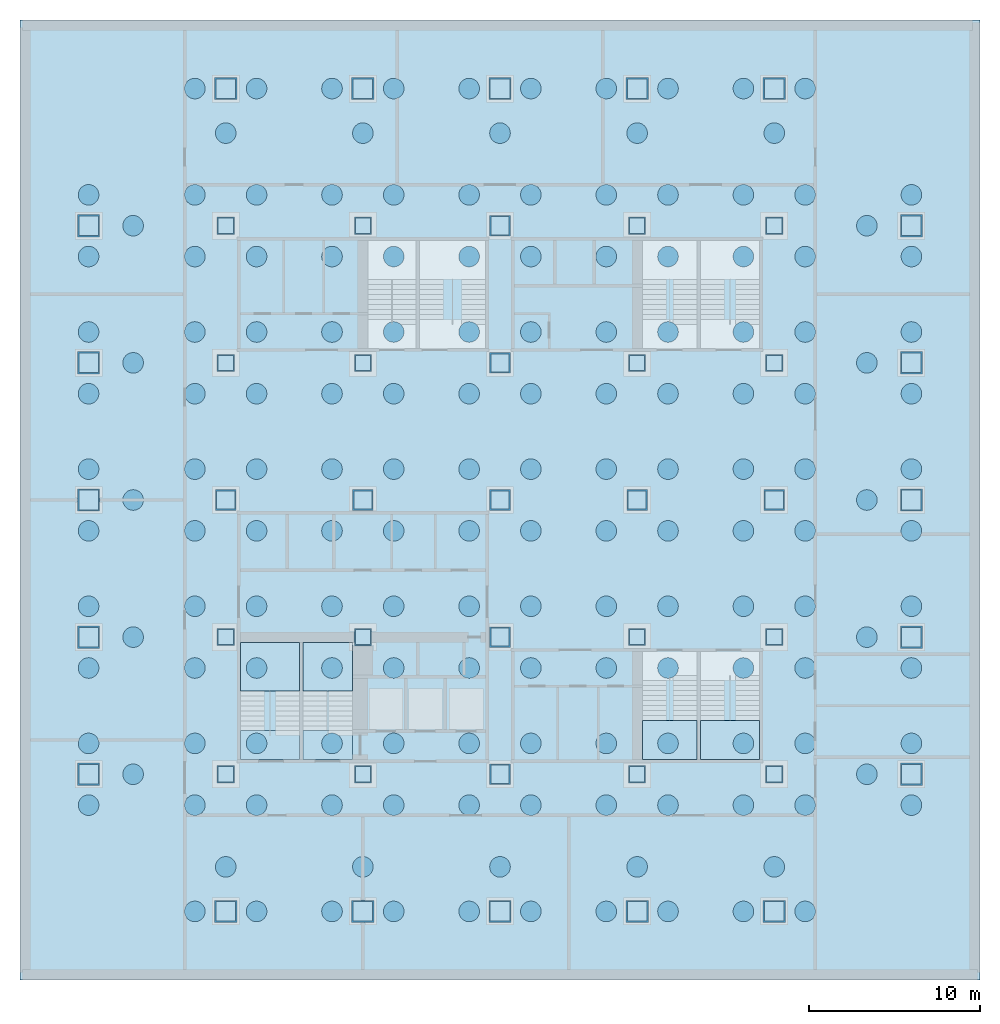
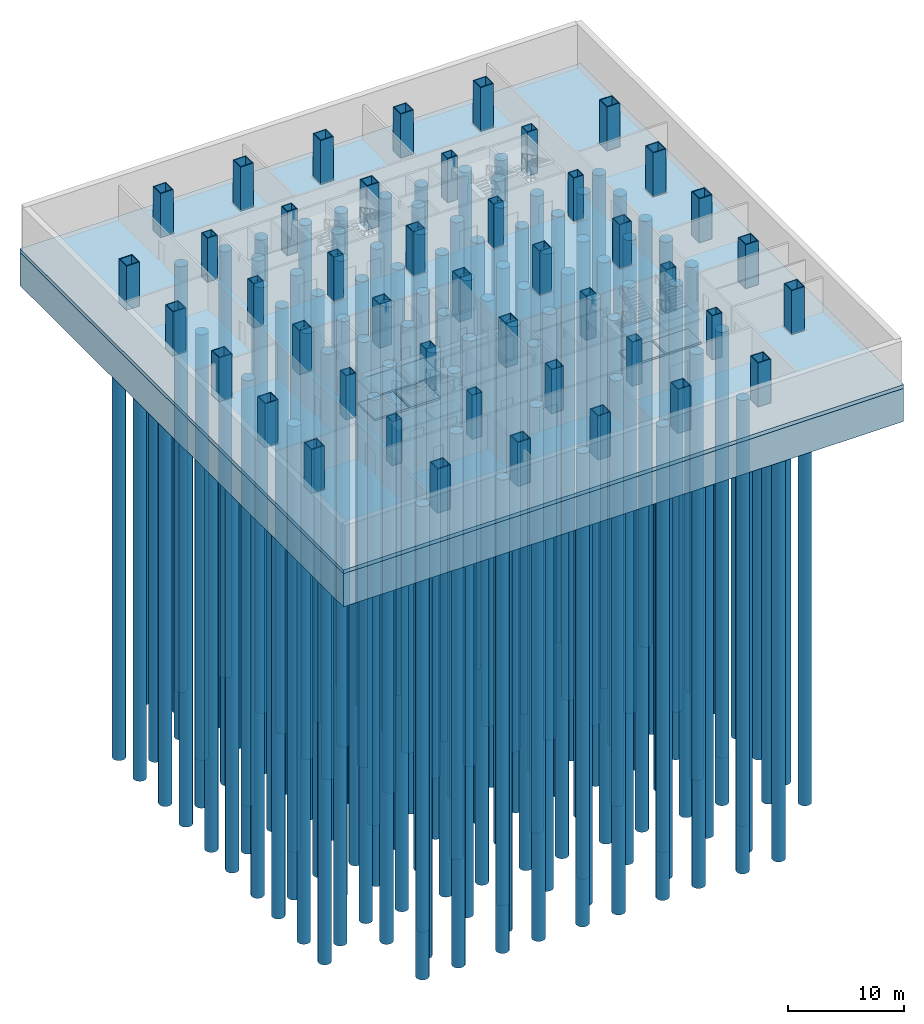
# One storey, part 1 of 9: 160 piles, 45 columns, 11 slabs, 1 footing, 4 elements without a shape of their own.
"""IFC4 building model written with IfcOpenShell, lengths in metres."""

from ifc_helpers import new_model, si_unit, direction, frame, origin, origin_2d, place, context, subcontext, project, spatial, polyline, hollow_rectangle, circle, outline, extrude, material, layer, layer_set, material_profile, profile_set, type_object, element, aggregate, save


model = new_model("IFC4")

# Units and contexts
model_context = context("Model", 3, precision=1e-05, world=origin(), true_north=direction((0.0, 1.0)))
body_context = subcontext(model_context, "Body", "Model", "MODEL_VIEW")
ifc_project = project(units=[si_unit("LENGTHUNIT", "METRE"), si_unit("AREAUNIT", "SQUARE_METRE"), si_unit("VOLUMEUNIT", "CUBIC_METRE"), si_unit("PLANEANGLEUNIT", "RADIAN"), si_unit("MASSUNIT", "GRAM", prefix="KILO")], contexts=[model_context])

# Site, building, storey
site_placement = place(None, origin())
site = spatial("IfcSite", under=ifc_project, at=site_placement, CompositionType="ELEMENT")
building_placement = place(site_placement, origin())
building = spatial("IfcBuilding", under=site, at=building_placement, Name="Immortelle Media Tower", CompositionType="ELEMENT")
storey_placement = place(building_placement, frame((0.0, 0.0, -5.0)))
storey = spatial("IfcBuildingStorey", under=building, at=storey_placement, Name="B1", CompositionType="ELEMENT", Elevation=-5.0)

# Piles
ifc_material_1 = material(Name="Concrete C60", Category="concrete")
ifc_material_profile_1 = material_profile(ifc_material_1, circle(Radius=0.60009765625, at=origin_2d()), Name="Bored pile D1200")
ifc_profile_set_1 = profile_set([ifc_material_profile_1], Name="Concrete C60")
pile_type = type_object("IfcPileType", Name="Bored pile D1200", PredefinedType="BORED", material=ifc_profile_set_1)
for number, where, z_axis, x_axis, name in (
    (1, (0.0, 6.199951171875, -3.89990234375), (0.0, 0.0, -1.0), (1.0, 0.0, 0.0), "Pile 1"),
    (2, (0.0, 9.800048828125, -3.89990234375), (0.0, 0.0, -1.0), (1.0, 0.0, 0.0), "Pile 2"),
    (3, (0.0, 14.199951171875, -3.89990234375), (0.0, 0.0, -1.0), (1.0, 0.0, 0.0), "Pile 3"),
    (4, (0.0, 17.800048828125, -3.89990234375), (0.0, 0.0, -1.0), (1.0, 0.0, 0.0), "Pile 4"),
    (5, (0.0, 22.199951171875, -3.89990234375), (0.0, 0.0, -1.0), (1.0, 0.0, 0.0), "Pile 5"),
    (6, (0.0, 25.800048828125, -3.89990234375), (0.0, 0.0, -1.0), (1.0, 0.0, 0.0), "Pile 6"),
    (7, (0.0, 30.199951171875, -3.89990234375), (0.0, 0.0, -1.0), (1.0, 0.0, 0.0), "Pile 7"),
    (8, (0.0, 33.800048828125, -3.89990234375), (0.0, 0.0, -1.0), (1.0, 0.0, 0.0), "Pile 8"),
    (9, (0.0, 38.199951171875, -3.89990234375), (0.0, 0.0, -1.0), (1.0, 0.0, 0.0), "Pile 9"),
    (10, (0.0, 41.800048828125, -3.89990234375), (0.0, 0.0, -1.0), (1.0, 0.0, 0.0), "Pile 10"),
    (11, (2.60009765625, 8.0, -3.89990234375), (0.0, 0.0, -1.0), (1.0, 0.0, 0.0), "Pile 11"),
    (12, (2.60009765625, 16.0, -3.89990234375), (0.0, 0.0, -1.0), (1.0, 0.0, 0.0), "Pile 12"),
    (13, (2.60009765625, 24.0, -3.89990234375), (0.0, 0.0, -1.0), (1.0, 0.0, 0.0), "Pile 13"),
    (14, (2.60009765625, 32.0, -3.89990234375), (0.0, 0.0, -1.0), (1.0, 0.0, 0.0), "Pile 14"),
    (15, (2.60009765625, 40.0, -3.89990234375), (0.0, 0.0, -1.0), (1.0, 0.0, 0.0), "Pile 15"),
    (16, (6.199951171875, 0.0, -3.89990234375), (0.0, 0.0, -1.0), (1.0, 0.0, 0.0), "Pile 16"),
    (17, (6.199951171875, 6.199951171875, -3.89990234375), (0.0, 0.0, -1.0), (1.0, 0.0, 0.0), "Pile 17"),
    (18, (6.199951171875, 9.800048828125, -3.89990234375), (0.0, 0.0, -1.0), (1.0, 0.0, 0.0), "Pile 18"),
    (19, (6.199951171875, 14.199951171875, -3.89990234375), (0.0, 0.0, -1.0), (1.0, 0.0, 0.0), "Pile 19"),
    (20, (6.199951171875, 17.800048828125, -3.89990234375), (0.0, 0.0, -1.0), (1.0, 0.0, 0.0), "Pile 20"),
    (21, (6.199951171875, 22.199951171875, -3.89990234375), (0.0, 0.0, -1.0), (1.0, 0.0, 0.0), "Pile 21"),
    (22, (6.199951171875, 25.800048828125, -3.89990234375), (0.0, 0.0, -1.0), (1.0, 0.0, 0.0), "Pile 22"),
    (23, (6.199951171875, 30.199951171875, -3.89990234375), (0.0, 0.0, -1.0), (1.0, 0.0, 0.0), "Pile 23"),
    (24, (6.199951171875, 33.800048828125, -3.89990234375), (0.0, 0.0, -1.0), (1.0, 0.0, 0.0), "Pile 24"),
    (25, (6.199951171875, 38.199951171875, -3.89990234375), (0.0, 0.0, -1.0), (1.0, 0.0, 0.0), "Pile 25"),
    (26, (6.199951171875, 41.800048828125, -3.89990234375), (0.0, 0.0, -1.0), (1.0, 0.0, 0.0), "Pile 26"),
    (27, (6.199951171875, 48.0, -3.89990234375), (0.0, 0.0, -1.0), (1.0, 0.0, 0.0), "Pile 27"),
    (28, (8.0, 2.60009765625, -3.89990234375), (0.0, 0.0, -1.0), (1.0, 0.0, 0.0), "Pile 28"),
    (29, (8.0, 45.39990234375, -3.89990234375), (0.0, 0.0, -1.0), (1.0, 0.0, 0.0), "Pile 29"),
    (30, (9.800048828125, 0.0, -3.89990234375), (0.0, 0.0, -1.0), (1.0, 0.0, 0.0), "Pile 30"),
    (31, (9.800048828125, 6.199951171875, -3.89990234375), (0.0, 0.0, -1.0), (1.0, 0.0, 0.0), "Pile 31"),
    (32, (9.800048828125, 9.800048828125, -3.89990234375), (0.0, 0.0, -1.0), (1.0, 0.0, 0.0), "Pile 32"),
    (33, (9.800048828125, 14.199951171875, -3.89990234375), (0.0, 0.0, -1.0), (1.0, 0.0, 0.0), "Pile 33"),
    (34, (9.800048828125, 17.800048828125, -3.89990234375), (0.0, 0.0, -1.0), (1.0, 0.0, 0.0), "Pile 34"),
    (35, (9.800048828125, 22.199951171875, -3.89990234375), (0.0, 0.0, -1.0), (1.0, 0.0, 0.0), "Pile 35"),
    (36, (9.800048828125, 25.800048828125, -3.89990234375), (0.0, 0.0, -1.0), (1.0, 0.0, 0.0), "Pile 36"),
    (37, (9.800048828125, 30.199951171875, -3.89990234375), (0.0, 0.0, -1.0), (1.0, 0.0, 0.0), "Pile 37"),
    (38, (9.800048828125, 33.800048828125, -3.89990234375), (0.0, 0.0, -1.0), (1.0, 0.0, 0.0), "Pile 38"),
    (39, (9.800048828125, 38.199951171875, -3.89990234375), (0.0, 0.0, -1.0), (1.0, 0.0, 0.0), "Pile 39"),
    (40, (9.800048828125, 41.800048828125, -3.89990234375), (0.0, 0.0, -1.0), (1.0, 0.0, 0.0), "Pile 40"),
    (41, (9.800048828125, 48.0, -3.89990234375), (0.0, 0.0, -1.0), (1.0, 0.0, 0.0), "Pile 41"),
    (42, (14.199951171875, 0.0, -3.89990234375), (0.0, 0.0, -1.0), (1.0, 0.0, 0.0), "Pile 42"),
    (43, (14.199951171875, 6.199951171875, -3.89990234375), (0.0, 0.0, -1.0), (1.0, 0.0, 0.0), "Pile 43"),
    (44, (14.199951171875, 9.800048828125, -3.89990234375), (0.0, 0.0, -1.0), (1.0, 0.0, 0.0), "Pile 44"),
    (45, (14.199951171875, 14.199951171875, -3.89990234375), (0.0, 0.0, -1.0), (1.0, 0.0, 0.0), "Pile 45"),
    (46, (14.199951171875, 17.800048828125, -3.89990234375), (0.0, 0.0, -1.0), (1.0, 0.0, 0.0), "Pile 46"),
    (47, (14.199951171875, 22.199951171875, -3.89990234375), (0.0, 0.0, -1.0), (1.0, 0.0, 0.0), "Pile 47"),
    (48, (14.199951171875, 25.800048828125, -3.89990234375), (0.0, 0.0, -1.0), (1.0, 0.0, 0.0), "Pile 48"),
    (49, (14.199951171875, 30.199951171875, -3.89990234375), (0.0, 0.0, -1.0), (1.0, 0.0, 0.0), "Pile 49"),
    (50, (14.199951171875, 33.800048828125, -3.89990234375), (0.0, 0.0, -1.0), (1.0, 0.0, 0.0), "Pile 50"),
    (51, (14.199951171875, 38.199951171875, -3.89990234375), (0.0, 0.0, -1.0), (1.0, 0.0, 0.0), "Pile 51"),
    (52, (14.199951171875, 41.800048828125, -3.89990234375), (0.0, 0.0, -1.0), (1.0, 0.0, 0.0), "Pile 52"),
    (53, (14.199951171875, 48.0, -3.89990234375), (0.0, 0.0, -1.0), (1.0, 0.0, 0.0), "Pile 53"),
    (54, (16.0, 2.60009765625, -3.89990234375), (0.0, 0.0, -1.0), (1.0, 0.0, 0.0), "Pile 54"),
    (55, (16.0, 45.39990234375, -3.89990234375), (0.0, 0.0, -1.0), (1.0, 0.0, 0.0), "Pile 55"),
    (56, (17.800048828125, 0.0, -3.89990234375), (0.0, 0.0, -1.0), (1.0, 0.0, 0.0), "Pile 56"),
    (57, (17.800048828125, 6.199951171875, -3.89990234375), (0.0, 0.0, -1.0), (1.0, 0.0, 0.0), "Pile 57"),
    (58, (17.800048828125, 9.800048828125, -3.89990234375), (0.0, 0.0, -1.0), (1.0, 0.0, 0.0), "Pile 58"),
    (59, (17.800048828125, 14.199951171875, -3.89990234375), (0.0, 0.0, -1.0), (1.0, 0.0, 0.0), "Pile 59"),
    (60, (17.800048828125, 17.800048828125, -3.89990234375), (0.0, 0.0, -1.0), (1.0, 0.0, 0.0), "Pile 60"),
    (61, (17.800048828125, 22.199951171875, -3.89990234375), (0.0, 0.0, -1.0), (1.0, 0.0, 0.0), "Pile 61"),
    (62, (17.800048828125, 25.800048828125, -3.89990234375), (0.0, 0.0, -1.0), (1.0, 0.0, 0.0), "Pile 62"),
    (63, (17.800048828125, 30.199951171875, -3.89990234375), (0.0, 0.0, -1.0), (1.0, 0.0, 0.0), "Pile 63"),
    (64, (17.800048828125, 33.800048828125, -3.89990234375), (0.0, 0.0, -1.0), (1.0, 0.0, 0.0), "Pile 64"),
    (65, (17.800048828125, 38.199951171875, -3.89990234375), (0.0, 0.0, -1.0), (1.0, 0.0, 0.0), "Pile 65"),
    (66, (17.800048828125, 41.800048828125, -3.89990234375), (0.0, 0.0, -1.0), (1.0, 0.0, 0.0), "Pile 66"),
    (67, (17.800048828125, 48.0, -3.89990234375), (0.0, 0.0, -1.0), (1.0, 0.0, 0.0), "Pile 67"),
    (68, (22.199951171875, 0.0, -3.89990234375), (0.0, 0.0, -1.0), (1.0, 0.0, 0.0), "Pile 68"),
    (69, (22.199951171875, 6.199951171875, -3.89990234375), (0.0, 0.0, -1.0), (1.0, 0.0, 0.0), "Pile 69"),
    (70, (22.199951171875, 9.800048828125, -3.89990234375), (0.0, 0.0, -1.0), (1.0, 0.0, 0.0), "Pile 70"),
    (71, (22.199951171875, 14.199951171875, -3.89990234375), (0.0, 0.0, -1.0), (1.0, 0.0, 0.0), "Pile 71"),
    (72, (22.199951171875, 17.800048828125, -3.89990234375), (0.0, 0.0, -1.0), (1.0, 0.0, 0.0), "Pile 72"),
    (73, (22.199951171875, 22.199951171875, -3.89990234375), (0.0, 0.0, -1.0), (1.0, 0.0, 0.0), "Pile 73"),
    (74, (22.199951171875, 25.800048828125, -3.89990234375), (0.0, 0.0, -1.0), (1.0, 0.0, 0.0), "Pile 74"),
    (75, (22.199951171875, 30.199951171875, -3.89990234375), (0.0, 0.0, -1.0), (1.0, 0.0, 0.0), "Pile 75"),
    (76, (22.199951171875, 33.800048828125, -3.89990234375), (0.0, 0.0, -1.0), (1.0, 0.0, 0.0), "Pile 76"),
    (77, (22.199951171875, 38.199951171875, -3.89990234375), (0.0, 0.0, -1.0), (1.0, 0.0, 0.0), "Pile 77"),
    (78, (22.199951171875, 41.800048828125, -3.89990234375), (0.0, 0.0, -1.0), (1.0, 0.0, 0.0), "Pile 78"),
    (79, (22.199951171875, 48.0, -3.89990234375), (0.0, 0.0, -1.0), (1.0, 0.0, 0.0), "Pile 79"),
    (80, (24.0, 2.60009765625, -3.89990234375), (0.0, 0.0, -1.0), (1.0, 0.0, 0.0), "Pile 80"),
    (81, (24.0, 45.39990234375, -3.89990234375), (0.0, 0.0, -1.0), (1.0, 0.0, 0.0), "Pile 81"),
    (82, (25.800048828125, 0.0, -3.89990234375), (0.0, 0.0, -1.0), (1.0, 0.0, 0.0), "Pile 82"),
    (83, (25.800048828125, 6.199951171875, -3.89990234375), (0.0, 0.0, -1.0), (1.0, 0.0, 0.0), "Pile 83"),
    (84, (25.800048828125, 9.800048828125, -3.89990234375), (0.0, 0.0, -1.0), (1.0, 0.0, 0.0), "Pile 84"),
    (85, (25.800048828125, 14.199951171875, -3.89990234375), (0.0, 0.0, -1.0), (1.0, 0.0, 0.0), "Pile 85"),
    (86, (25.800048828125, 17.800048828125, -3.89990234375), (0.0, 0.0, -1.0), (1.0, 0.0, 0.0), "Pile 86"),
    (87, (25.800048828125, 22.199951171875, -3.89990234375), (0.0, 0.0, -1.0), (1.0, 0.0, 0.0), "Pile 87"),
    (88, (25.800048828125, 25.800048828125, -3.89990234375), (0.0, 0.0, -1.0), (1.0, 0.0, 0.0), "Pile 88"),
    (89, (25.800048828125, 30.199951171875, -3.89990234375), (0.0, 0.0, -1.0), (1.0, 0.0, 0.0), "Pile 89"),
    (90, (25.800048828125, 33.800048828125, -3.89990234375), (0.0, 0.0, -1.0), (1.0, 0.0, 0.0), "Pile 90"),
    (91, (25.800048828125, 38.199951171875, -3.89990234375), (0.0, 0.0, -1.0), (1.0, 0.0, 0.0), "Pile 91"),
    (92, (25.800048828125, 41.800048828125, -3.89990234375), (0.0, 0.0, -1.0), (1.0, 0.0, 0.0), "Pile 92"),
    (93, (25.800048828125, 48.0, -3.89990234375), (0.0, 0.0, -1.0), (1.0, 0.0, 0.0), "Pile 93"),
    (94, (30.199951171875, 0.0, -3.89990234375), (0.0, 0.0, -1.0), (1.0, 0.0, 0.0), "Pile 94"),
    (95, (30.199951171875, 6.199951171875, -3.89990234375), (0.0, 0.0, -1.0), (1.0, 0.0, 0.0), "Pile 95"),
    (96, (30.199951171875, 9.800048828125, -3.89990234375), (0.0, 0.0, -1.0), (1.0, 0.0, 0.0), "Pile 96"),
    (97, (30.199951171875, 14.199951171875, -3.89990234375), (0.0, 0.0, -1.0), (1.0, 0.0, 0.0), "Pile 97"),
    (98, (30.199951171875, 17.800048828125, -3.89990234375), (0.0, 0.0, -1.0), (1.0, 0.0, 0.0), "Pile 98"),
    (99, (30.199951171875, 22.199951171875, -3.89990234375), (0.0, 0.0, -1.0), (1.0, 0.0, 0.0), "Pile 99"),
    (100, (30.199951171875, 25.800048828125, -3.89990234375), (0.0, 0.0, -1.0), (1.0, 0.0, 0.0), "Pile 100"),
    (101, (30.199951171875, 30.199951171875, -3.89990234375), (0.0, 0.0, -1.0), (1.0, 0.0, 0.0), "Pile 101"),
    (102, (30.199951171875, 33.800048828125, -3.89990234375), (0.0, 0.0, -1.0), (1.0, 0.0, 0.0), "Pile 102"),
    (103, (30.199951171875, 38.199951171875, -3.89990234375), (0.0, 0.0, -1.0), (1.0, 0.0, 0.0), "Pile 103"),
    (104, (30.199951171875, 41.800048828125, -3.89990234375), (0.0, 0.0, -1.0), (1.0, 0.0, 0.0), "Pile 104"),
    (105, (30.199951171875, 48.0, -3.89990234375), (0.0, 0.0, -1.0), (1.0, 0.0, 0.0), "Pile 105"),
    (106, (32.0, 2.60009765625, -3.89990234375), (0.0, 0.0, -1.0), (1.0, 0.0, 0.0), "Pile 106"),
    (107, (32.0, 45.39990234375, -3.89990234375), (0.0, 0.0, -1.0), (1.0, 0.0, 0.0), "Pile 107"),
    (108, (33.800048828125, 0.0, -3.89990234375), (0.0, 0.0, -1.0), (1.0, 0.0, 0.0), "Pile 108"),
    (109, (33.800048828125, 6.199951171875, -3.89990234375), (0.0, 0.0, -1.0), (1.0, 0.0, 0.0), "Pile 109"),
    (110, (33.800048828125, 9.800048828125, -3.89990234375), (0.0, 0.0, -1.0), (1.0, 0.0, 0.0), "Pile 110"),
    (111, (33.800048828125, 14.199951171875, -3.89990234375), (0.0, 0.0, -1.0), (1.0, 0.0, 0.0), "Pile 111"),
    (112, (33.800048828125, 17.800048828125, -3.89990234375), (0.0, 0.0, -1.0), (1.0, 0.0, 0.0), "Pile 112"),
    (113, (33.800048828125, 22.199951171875, -3.89990234375), (0.0, 0.0, -1.0), (1.0, 0.0, 0.0), "Pile 113"),
    (114, (33.800048828125, 25.800048828125, -3.89990234375), (0.0, 0.0, -1.0), (1.0, 0.0, 0.0), "Pile 114"),
    (115, (33.800048828125, 30.199951171875, -3.89990234375), (0.0, 0.0, -1.0), (1.0, 0.0, 0.0), "Pile 115"),
    (116, (33.800048828125, 33.800048828125, -3.89990234375), (0.0, 0.0, -1.0), (1.0, 0.0, 0.0), "Pile 116"),
    (117, (33.800048828125, 38.199951171875, -3.89990234375), (0.0, 0.0, -1.0), (1.0, 0.0, 0.0), "Pile 117"),
    (118, (33.800048828125, 41.800048828125, -3.89990234375), (0.0, 0.0, -1.0), (1.0, 0.0, 0.0), "Pile 118"),
    (119, (33.800048828125, 48.0, -3.89990234375), (0.0, 0.0, -1.0), (1.0, 0.0, 0.0), "Pile 119"),
    (120, (38.199951171875, 0.0, -3.89990234375), (0.0, 0.0, -1.0), (1.0, 0.0, 0.0), "Pile 120"),
    (121, (38.199951171875, 6.199951171875, -3.89990234375), (0.0, 0.0, -1.0), (1.0, 0.0, 0.0), "Pile 121"),
    (122, (38.199951171875, 9.800048828125, -3.89990234375), (0.0, 0.0, -1.0), (1.0, 0.0, 0.0), "Pile 122"),
    (123, (38.199951171875, 14.199951171875, -3.89990234375), (0.0, 0.0, -1.0), (1.0, 0.0, 0.0), "Pile 123"),
    (124, (38.199951171875, 17.800048828125, -3.89990234375), (0.0, 0.0, -1.0), (1.0, 0.0, 0.0), "Pile 124"),
    (125, (38.199951171875, 22.199951171875, -3.89990234375), (0.0, 0.0, -1.0), (1.0, 0.0, 0.0), "Pile 125"),
    (126, (38.199951171875, 25.800048828125, -3.89990234375), (0.0, 0.0, -1.0), (1.0, 0.0, 0.0), "Pile 126"),
    (127, (38.199951171875, 30.199951171875, -3.89990234375), (0.0, 0.0, -1.0), (1.0, 0.0, 0.0), "Pile 127"),
    (128, (38.199951171875, 33.800048828125, -3.89990234375), (0.0, 0.0, -1.0), (1.0, 0.0, 0.0), "Pile 128"),
    (129, (38.199951171875, 38.199951171875, -3.89990234375), (0.0, 0.0, -1.0), (1.0, 0.0, 0.0), "Pile 129"),
    (130, (38.199951171875, 41.800048828125, -3.89990234375), (0.0, 0.0, -1.0), (1.0, 0.0, 0.0), "Pile 130"),
    (131, (38.199951171875, 48.0, -3.89990234375), (0.0, 0.0, -1.0), (1.0, 0.0, 0.0), "Pile 131"),
    (132, (40.0, 2.60009765625, -3.89990234375), (0.0, 0.0, -1.0), (1.0, 0.0, 0.0), "Pile 132"),
    (133, (40.0, 45.39990234375, -3.89990234375), (0.0, 0.0, -1.0), (1.0, 0.0, 0.0), "Pile 133"),
    (134, (41.800048828125, 0.0, -3.89990234375), (0.0, 0.0, -1.0), (1.0, 0.0, 0.0), "Pile 134"),
    (135, (41.800048828125, 6.199951171875, -3.89990234375), (0.0, 0.0, -1.0), (1.0, 0.0, 0.0), "Pile 135"),
    (136, (41.800048828125, 9.800048828125, -3.89990234375), (0.0, 0.0, -1.0), (1.0, 0.0, 0.0), "Pile 136"),
    (137, (41.800048828125, 14.199951171875, -3.89990234375), (0.0, 0.0, -1.0), (1.0, 0.0, 0.0), "Pile 137"),
    (138, (41.800048828125, 17.800048828125, -3.89990234375), (0.0, 0.0, -1.0), (1.0, 0.0, 0.0), "Pile 138"),
    (139, (41.800048828125, 22.199951171875, -3.89990234375), (0.0, 0.0, -1.0), (1.0, 0.0, 0.0), "Pile 139"),
    (140, (41.800048828125, 25.800048828125, -3.89990234375), (0.0, 0.0, -1.0), (1.0, 0.0, 0.0), "Pile 140"),
    (141, (41.800048828125, 30.199951171875, -3.89990234375), (0.0, 0.0, -1.0), (1.0, 0.0, 0.0), "Pile 141"),
    (142, (41.800048828125, 33.800048828125, -3.89990234375), (0.0, 0.0, -1.0), (1.0, 0.0, 0.0), "Pile 142"),
    (143, (41.800048828125, 38.199951171875, -3.89990234375), (0.0, 0.0, -1.0), (1.0, 0.0, 0.0), "Pile 143"),
    (144, (41.800048828125, 41.800048828125, -3.89990234375), (0.0, 0.0, -1.0), (1.0, 0.0, 0.0), "Pile 144"),
    (145, (41.800048828125, 48.0, -3.89990234375), (0.0, 0.0, -1.0), (1.0, 0.0, 0.0), "Pile 145"),
    (146, (45.39990234375, 8.0, -3.89990234375), (0.0, 0.0, -1.0), (1.0, 0.0, 0.0), "Pile 146"),
    (147, (45.39990234375, 16.0, -3.89990234375), (0.0, 0.0, -1.0), (1.0, 0.0, 0.0), "Pile 147"),
    (148, (45.39990234375, 24.0, -3.89990234375), (0.0, 0.0, -1.0), (1.0, 0.0, 0.0), "Pile 148"),
    (149, (45.39990234375, 32.0, -3.89990234375), (0.0, 0.0, -1.0), (1.0, 0.0, 0.0), "Pile 149"),
    (150, (45.39990234375, 40.0, -3.89990234375), (0.0, 0.0, -1.0), (1.0, 0.0, 0.0), "Pile 150"),
    (151, (48.0, 6.199951171875, -3.89990234375), (0.0, 0.0, -1.0), (1.0, 0.0, 0.0), "Pile 151"),
    (152, (48.0, 9.800048828125, -3.89990234375), (0.0, 0.0, -1.0), (1.0, 0.0, 0.0), "Pile 152"),
    (153, (48.0, 14.199951171875, -3.89990234375), (0.0, 0.0, -1.0), (1.0, 0.0, 0.0), "Pile 153"),
    (154, (48.0, 17.800048828125, -3.89990234375), (0.0, 0.0, -1.0), (1.0, 0.0, 0.0), "Pile 154"),
    (155, (48.0, 22.199951171875, -3.89990234375), (0.0, 0.0, -1.0), (1.0, 0.0, 0.0), "Pile 155"),
    (156, (48.0, 25.800048828125, -3.89990234375), (0.0, 0.0, -1.0), (1.0, 0.0, 0.0), "Pile 156"),
    (157, (48.0, 30.199951171875, -3.89990234375), (0.0, 0.0, -1.0), (1.0, 0.0, 0.0), "Pile 157"),
    (158, (48.0, 33.800048828125, -3.89990234375), (0.0, 0.0, -1.0), (1.0, 0.0, 0.0), "Pile 158"),
    (159, (48.0, 38.199951171875, -3.89990234375), (0.0, 0.0, -1.0), (1.0, 0.0, 0.0), "Pile 159"),
    (160, (48.0, 41.800048828125, -3.89990234375), (0.0, 0.0, -1.0), (1.0, 0.0, 0.0), "Pile 160"),
):
    element("IfcPile", number, at=place(storey_placement, frame(where, z_axis=z_axis, x_axis=x_axis)), inside=storey, type_object=pile_type, Name=name, PredefinedType="BORED", context=body_context, shape_type="SweptSolid", body=[
        extrude(circle(Radius=0.60009765625, at=origin_2d()), origin(), (0.0, 0.0, 1.0), 45.0),
    ])

# Footing
ifc_layer_1 = layer(ifc_material_1, 3.5)
ifc_layer_set_1 = layer_set([ifc_layer_1], Name="Concrete C60")
footing_type = type_object("IfcFootingType", Name="Piled raft", PredefinedType="PILE_CAP", material=ifc_layer_set_1)
footing_placement = place(storey_placement, frame((0.0, 0.0, -3.89990234375)))
element("IfcFooting", 161, at=footing_placement, inside=storey, type_object=footing_type, Name="Piled raft", PredefinedType="PILE_CAP", context=body_context, shape_type="SweptSolid", body=[
    extrude(outline(polyline([(52.0, -4.0), (52.0, 52.0), (-4.0, 52.0), (-4.0, -4.0), (52.0, -4.0)])), origin(), (0.0, 0.0, 1.0), 3.5),
])

# Columns
ifc_material_2 = material(Name="Steel ASTM A572 Gr 50", Category="steel")
ifc_material_profile_2 = material_profile(ifc_material_2, hollow_rectangle(XDim=1.0, YDim=1.0, WallThickness=0.06005859375, at=origin_2d()), Name="BOX 1000x1000x60 column")
ifc_profile_set_2 = profile_set([ifc_material_profile_2], Name="Steel ASTM A572 Gr 50")
column_type_1 = type_object("IfcColumnType", Name="BOX 1000x1000x60 column", PredefinedType="COLUMN", material=ifc_profile_set_2)
for number, where, z_axis, x_axis, name in (
    (162, (8.0, 8.0, 0.0), (0.0, 0.0, 1.0), (1.0, 0.0, 0.0), "Column 2/B"),
    (163, (8.0, 16.0, 0.0), (0.0, 0.0, 1.0), (1.0, 0.0, 0.0), "Column 2/C"),
    (164, (8.0, 32.0, 0.0), (0.0, 0.0, 1.0), (1.0, 0.0, 0.0), "Column 2/E"),
    (165, (8.0, 40.0, 0.0), (0.0, 0.0, 1.0), (1.0, 0.0, 0.0), "Column 2/F"),
    (166, (16.0, 8.0, 0.0), (0.0, 0.0, 1.0), (1.0, 0.0, 0.0), "Column 3/B"),
    (167, (16.0, 16.0, 0.0), (0.0, 0.0, 1.0), (1.0, 0.0, 0.0), "Column 3/C"),
    (168, (16.0, 32.0, 0.0), (0.0, 0.0, 1.0), (1.0, 0.0, 0.0), "Column 3/E"),
    (169, (16.0, 40.0, 0.0), (0.0, 0.0, 1.0), (1.0, 0.0, 0.0), "Column 3/F"),
    (170, (32.0, 8.0, 0.0), (0.0, 0.0, 1.0), (1.0, 0.0, 0.0), "Column 5/B"),
    (171, (32.0, 16.0, 0.0), (0.0, 0.0, 1.0), (1.0, 0.0, 0.0), "Column 5/C"),
    (172, (32.0, 32.0, 0.0), (0.0, 0.0, 1.0), (1.0, 0.0, 0.0), "Column 5/E"),
    (173, (32.0, 40.0, 0.0), (0.0, 0.0, 1.0), (1.0, 0.0, 0.0), "Column 5/F"),
    (174, (40.0, 8.0, 0.0), (0.0, 0.0, 1.0), (1.0, 0.0, 0.0), "Column 6/B"),
    (175, (40.0, 16.0, 0.0), (0.0, 0.0, 1.0), (1.0, 0.0, 0.0), "Column 6/C"),
    (176, (40.0, 32.0, 0.0), (0.0, 0.0, 1.0), (1.0, 0.0, 0.0), "Column 6/E"),
    (177, (40.0, 40.0, 0.0), (0.0, 0.0, 1.0), (1.0, 0.0, 0.0), "Column 6/F"),
):
    element("IfcColumn", number, at=place(storey_placement, frame(where, z_axis=z_axis, x_axis=x_axis)), inside=storey, type_object=column_type_1, Name=name, PredefinedType="COLUMN", context=body_context, shape_type="SweptSolid", body=[
        extrude(hollow_rectangle(XDim=1.0, YDim=1.0, WallThickness=0.06005859375, at=origin_2d()), origin(), (0.0, 0.0, 1.0), 4.64990234375),
    ])
ifc_material_profile_3 = material_profile(ifc_material_2, hollow_rectangle(XDim=1.199951171875, YDim=1.199951171875, WallThickness=0.070068359375, at=origin_2d()), Name="BOX 1200x1200x70 column")
ifc_profile_set_3 = profile_set([ifc_material_profile_3], Name="Steel ASTM A572 Gr 50")
column_type_2 = type_object("IfcColumnType", Name="BOX 1200x1200x70 column", PredefinedType="COLUMN", material=ifc_profile_set_3)
for number, where, z_axis, x_axis, name in (
    (178, (8.0, 24.0, 0.0), (0.0, 0.0, 1.0), (1.0, 0.0, 0.0), "Column 2/D"),
    (179, (16.0, 24.0, 0.0), (0.0, 0.0, 1.0), (1.0, 0.0, 0.0), "Column 3/D"),
    (180, (24.0, 8.0, 0.0), (0.0, 0.0, 1.0), (1.0, 0.0, 0.0), "Column 4/B"),
    (181, (24.0, 16.0, 0.0), (0.0, 0.0, 1.0), (1.0, 0.0, 0.0), "Column 4/C"),
    (182, (24.0, 24.0, 0.0), (0.0, 0.0, 1.0), (1.0, 0.0, 0.0), "Column 4/D"),
    (183, (24.0, 32.0, 0.0), (0.0, 0.0, 1.0), (1.0, 0.0, 0.0), "Column 4/E"),
    (184, (24.0, 40.0, 0.0), (0.0, 0.0, 1.0), (1.0, 0.0, 0.0), "Column 4/F"),
    (185, (32.0, 24.0, 0.0), (0.0, 0.0, 1.0), (1.0, 0.0, 0.0), "Column 5/D"),
    (186, (40.0, 24.0, 0.0), (0.0, 0.0, 1.0), (1.0, 0.0, 0.0), "Column 6/D"),
):
    element("IfcColumn", number, at=place(storey_placement, frame(where, z_axis=z_axis, x_axis=x_axis)), inside=storey, type_object=column_type_2, Name=name, PredefinedType="COLUMN", context=body_context, shape_type="SweptSolid", body=[
        extrude(hollow_rectangle(XDim=1.199951171875, YDim=1.199951171875, WallThickness=0.070068359375, at=origin_2d()), origin(), (0.0, 0.0, 1.0), 4.64990234375),
    ])
ifc_material_profile_4 = material_profile(ifc_material_2, hollow_rectangle(XDim=1.300048828125, YDim=1.300048828125, WallThickness=0.080078125, at=origin_2d()), Name="BOX 1300x1300x80 column")
ifc_profile_set_4 = profile_set([ifc_material_profile_4], Name="Steel ASTM A572 Gr 50")
column_type_3 = type_object("IfcColumnType", Name="BOX 1300x1300x80 column", PredefinedType="COLUMN", material=ifc_profile_set_4)
for number, where, z_axis, x_axis, name in (
    (187, (0.0, 8.0, 0.0), (0.0, 0.0, 1.0), (1.0, 0.0, 0.0), "Column 1/B"),
    (188, (0.0, 16.0, 0.0), (0.0, 0.0, 1.0), (1.0, 0.0, 0.0), "Column 1/C"),
    (189, (0.0, 24.0, 0.0), (0.0, 0.0, 1.0), (1.0, 0.0, 0.0), "Column 1/D"),
    (190, (0.0, 32.0, 0.0), (0.0, 0.0, 1.0), (1.0, 0.0, 0.0), "Column 1/E"),
    (191, (0.0, 40.0, 0.0), (0.0, 0.0, 1.0), (1.0, 0.0, 0.0), "Column 1/F"),
    (192, (8.0, 0.0, 0.0), (0.0, 0.0, 1.0), (1.0, 0.0, 0.0), "Column 2/A"),
    (193, (8.0, 48.0, 0.0), (0.0, 0.0, 1.0), (1.0, 0.0, 0.0), "Column 2/G"),
    (194, (16.0, 0.0, 0.0), (0.0, 0.0, 1.0), (1.0, 0.0, 0.0), "Column 3/A"),
    (195, (16.0, 48.0, 0.0), (0.0, 0.0, 1.0), (1.0, 0.0, 0.0), "Column 3/G"),
    (196, (24.0, 0.0, 0.0), (0.0, 0.0, 1.0), (1.0, 0.0, 0.0), "Column 4/A"),
    (197, (24.0, 48.0, 0.0), (0.0, 0.0, 1.0), (1.0, 0.0, 0.0), "Column 4/G"),
    (198, (32.0, 0.0, 0.0), (0.0, 0.0, 1.0), (1.0, 0.0, 0.0), "Column 5/A"),
    (199, (32.0, 48.0, 0.0), (0.0, 0.0, 1.0), (1.0, 0.0, 0.0), "Column 5/G"),
    (200, (40.0, 0.0, 0.0), (0.0, 0.0, 1.0), (1.0, 0.0, 0.0), "Column 6/A"),
    (201, (40.0, 48.0, 0.0), (0.0, 0.0, 1.0), (1.0, 0.0, 0.0), "Column 6/G"),
    (202, (48.0, 8.0, 0.0), (0.0, 0.0, 1.0), (1.0, 0.0, 0.0), "Column 7/B"),
    (203, (48.0, 16.0, 0.0), (0.0, 0.0, 1.0), (1.0, 0.0, 0.0), "Column 7/C"),
    (204, (48.0, 24.0, 0.0), (0.0, 0.0, 1.0), (1.0, 0.0, 0.0), "Column 7/D"),
    (205, (48.0, 32.0, 0.0), (0.0, 0.0, 1.0), (1.0, 0.0, 0.0), "Column 7/E"),
    (206, (48.0, 40.0, 0.0), (0.0, 0.0, 1.0), (1.0, 0.0, 0.0), "Column 7/F"),
):
    element("IfcColumn", number, at=place(storey_placement, frame(where, z_axis=z_axis, x_axis=x_axis)), inside=storey, type_object=column_type_3, Name=name, PredefinedType="COLUMN", context=body_context, shape_type="SweptSolid", body=[
        extrude(hollow_rectangle(XDim=1.300048828125, YDim=1.300048828125, WallThickness=0.080078125, at=origin_2d()), origin(), (0.0, 0.0, 1.0), 4.64990234375),
    ])

# Slab
ifc_layer_2 = layer(ifc_material_1, 0.39990234375)
ifc_layer_set_2 = layer_set([ifc_layer_2], Name="Concrete C60")
slab_type_1 = type_object("IfcSlabType", Name="Basement floor slab", PredefinedType="BASESLAB", material=ifc_layer_set_2)
slab_1_placement = place(storey_placement, frame((0.0, 0.0, -0.39990234375)))
element("IfcSlab", 207, at=slab_1_placement, inside=storey, type_object=slab_type_1, Name="Basement floor slab", PredefinedType="BASESLAB", context=body_context, shape_type="SweptSolid", body=[
    extrude(outline(polyline([(52.0, -4.0), (52.0, 52.0), (-4.0, 52.0), (-4.0, -4.0), (52.0, -4.0)])), origin(), (0.0, 0.0, 1.0), 0.39990234375),
])

# Stair, slabs
ifc_material_3 = material(Name="Steel ASTM A992 Gr 50", Category="steel")
stair_type = type_object("IfcStairType", Name="Stair with flights", PredefinedType="DOUBLE_RETURN_STAIR", material=ifc_material_3)
stair_1_placement = place(storey_placement, origin())
stair_1 = element("IfcStair", 208, at=stair_1_placement, inside=storey, type_object=stair_type, Name="Exit stair SW1", PredefinedType="DOUBLE_RETURN_STAIR")
ifc_layer_3 = layer(ifc_material_2, 0.199951171875)
ifc_layer_set_3 = layer_set([ifc_layer_3], Name="Steel ASTM A572 Gr 50")
slab_type_2 = type_object("IfcSlabType", Name="Stair landing 200", PredefinedType="LANDING", material=ifc_layer_set_3)
slab_2_placement = place(storey_placement, frame((0.0, 0.0, 1.01611328125)))
slab_2 = element("IfcSlab", 209, at=slab_2_placement, type_object=slab_type_2, Name="ST SW1 landing 1", PredefinedType="LANDING", context=body_context, shape_type="SweptSolid", body=[
    extrude(outline(polyline([(8.85009765625, 12.860107421875), (12.300048828125, 12.860107421875), (12.300048828125, 15.699951171875), (8.85009765625, 15.699951171875), (8.85009765625, 12.860107421875)])), origin(), (0.0, 0.0, 1.0), 0.2001953125),
])
slab_3_placement = place(storey_placement, frame((0.0, 0.0, 2.232421875)))
slab_3 = element("IfcSlab", 210, at=slab_3_placement, type_object=slab_type_2, Name="ST SW1 landing 2", PredefinedType="LANDING", context=body_context, shape_type="SweptSolid", body=[
    extrude(outline(polyline([(8.85009765625, 8.85009765625), (12.300048828125, 8.85009765625), (12.300048828125, 10.5400390625), (8.85009765625, 10.5400390625), (8.85009765625, 8.85009765625)])), origin(), (0.0, 0.0, 1.0), 0.199951171875),
])
slab_4_placement = place(storey_placement, frame((0.0, 0.0, 3.44873046875)))
slab_4 = element("IfcSlab", 211, at=slab_4_placement, type_object=slab_type_2, Name="ST SW1 landing 3", PredefinedType="LANDING", context=body_context, shape_type="SweptSolid", body=[
    extrude(outline(polyline([(8.85009765625, 12.860107421875), (12.300048828125, 12.860107421875), (12.300048828125, 15.699951171875), (8.85009765625, 15.699951171875), (8.85009765625, 12.860107421875)])), origin(), (0.0, 0.0, 1.0), 0.199951171875),
])
aggregate(stair_1, [slab_2, slab_3, slab_4])

stair_2_placement = place(storey_placement, origin())
stair_2 = element("IfcStair", 212, at=stair_2_placement, inside=storey, type_object=stair_type, Name="Exit stair SW2", PredefinedType="DOUBLE_RETURN_STAIR")
slab_5_placement = place(storey_placement, frame((0.0, 0.0, 1.01611328125)))
slab_5 = element("IfcSlab", 213, at=slab_5_placement, type_object=slab_type_2, Name="ST SW2 landing 1", PredefinedType="LANDING", context=body_context, shape_type="SweptSolid", body=[
    extrude(outline(polyline([(12.5, 12.860107421875), (15.39990234375, 12.860107421875), (15.39990234375, 15.699951171875), (12.5, 15.699951171875), (12.5, 12.860107421875)])), origin(), (0.0, 0.0, 1.0), 0.2001953125),
])
slab_6_placement = place(storey_placement, frame((0.0, 0.0, 2.232421875)))
slab_6 = element("IfcSlab", 214, at=slab_6_placement, type_object=slab_type_2, Name="ST SW2 landing 2", PredefinedType="LANDING", context=body_context, shape_type="SweptSolid", body=[
    extrude(outline(polyline([(12.5, 8.85009765625), (15.39990234375, 8.85009765625), (15.39990234375, 10.5400390625), (12.5, 10.5400390625), (12.5, 8.85009765625)])), origin(), (0.0, 0.0, 1.0), 0.199951171875),
])
slab_7_placement = place(storey_placement, frame((0.0, 0.0, 3.44873046875)))
slab_7 = element("IfcSlab", 215, at=slab_7_placement, type_object=slab_type_2, Name="ST SW2 landing 3", PredefinedType="LANDING", context=body_context, shape_type="SweptSolid", body=[
    extrude(outline(polyline([(12.5, 12.860107421875), (15.39990234375, 12.860107421875), (15.39990234375, 15.699951171875), (12.5, 15.699951171875), (12.5, 12.860107421875)])), origin(), (0.0, 0.0, 1.0), 0.199951171875),
])
aggregate(stair_2, [slab_5, slab_6, slab_7])

stair_3_placement = place(storey_placement, origin())
stair_3 = element("IfcStair", 216, at=stair_3_placement, inside=storey, type_object=stair_type, Name="Exit stair SE1", PredefinedType="DOUBLE_RETURN_STAIR")
slab_8_placement = place(storey_placement, frame((0.0, 0.0, 1.01611328125)))
slab_8 = element("IfcSlab", 217, at=slab_8_placement, type_object=slab_type_2, Name="ST SE1 landing 1", PredefinedType="LANDING", context=body_context, shape_type="SweptSolid", body=[
    extrude(outline(polyline([(32.300048828125, 8.85009765625), (35.5, 8.85009765625), (35.5, 11.139892578125), (32.300048828125, 11.139892578125), (32.300048828125, 8.85009765625)])), origin(), (0.0, 0.0, 1.0), 0.2001953125),
])
slab_9_placement = place(storey_placement, frame((0.0, 0.0, 3.44873046875)))
slab_9 = element("IfcSlab", 218, at=slab_9_placement, type_object=slab_type_2, Name="ST SE1 landing 3", PredefinedType="LANDING", context=body_context, shape_type="SweptSolid", body=[
    extrude(outline(polyline([(32.300048828125, 8.85009765625), (35.5, 8.85009765625), (35.5, 11.139892578125), (32.300048828125, 11.139892578125), (32.300048828125, 8.85009765625)])), origin(), (0.0, 0.0, 1.0), 0.199951171875),
])
aggregate(stair_3, [slab_8, slab_9])

stair_4_placement = place(storey_placement, origin())
stair_4 = element("IfcStair", 219, at=stair_4_placement, inside=storey, type_object=stair_type, Name="Exit stair SE2", PredefinedType="DOUBLE_RETURN_STAIR")
slab_10_placement = place(storey_placement, frame((0.0, 0.0, 1.01611328125)))
slab_10 = element("IfcSlab", 220, at=slab_10_placement, type_object=slab_type_2, Name="ST SE2 landing 1", PredefinedType="LANDING", context=body_context, shape_type="SweptSolid", body=[
    extrude(outline(polyline([(35.699951171875, 8.85009765625), (39.14990234375, 8.85009765625), (39.14990234375, 11.139892578125), (35.699951171875, 11.139892578125), (35.699951171875, 8.85009765625)])), origin(), (0.0, 0.0, 1.0), 0.2001953125),
])
slab_11_placement = place(storey_placement, frame((0.0, 0.0, 3.44873046875)))
slab_11 = element("IfcSlab", 221, at=slab_11_placement, type_object=slab_type_2, Name="ST SE2 landing 3", PredefinedType="LANDING", context=body_context, shape_type="SweptSolid", body=[
    extrude(outline(polyline([(35.699951171875, 8.85009765625), (39.14990234375, 8.85009765625), (39.14990234375, 11.139892578125), (35.699951171875, 11.139892578125), (35.699951171875, 8.85009765625)])), origin(), (0.0, 0.0, 1.0), 0.199951171875),
])
aggregate(stair_4, [slab_10, slab_11])

save(model, "model.ifc")
